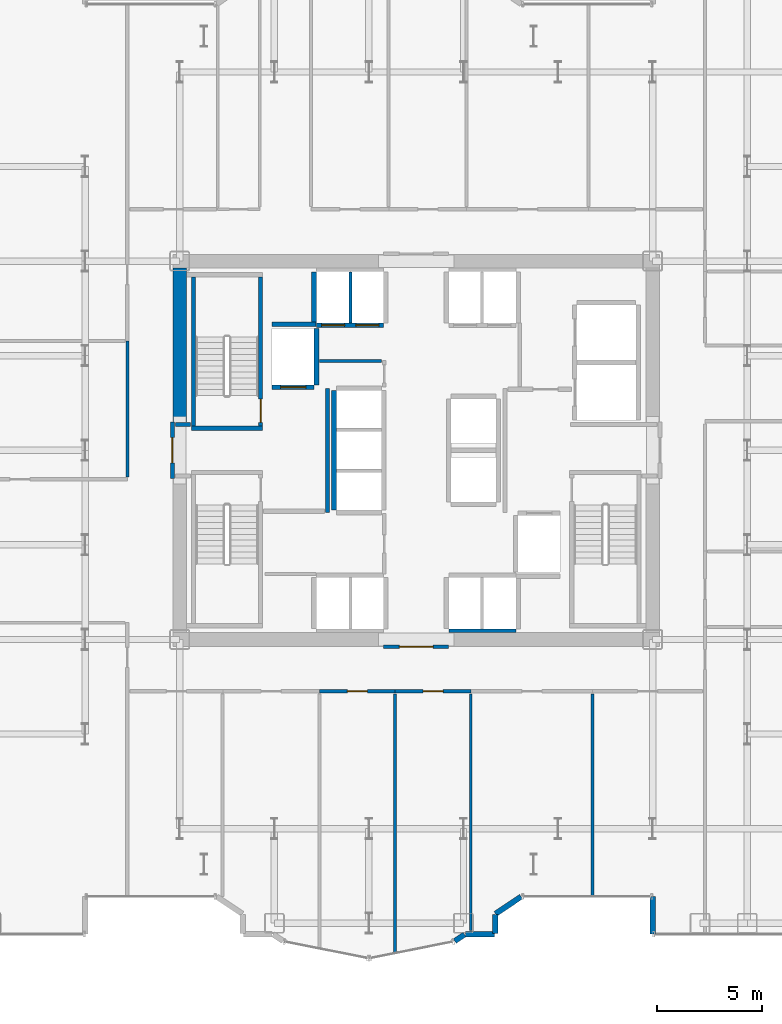
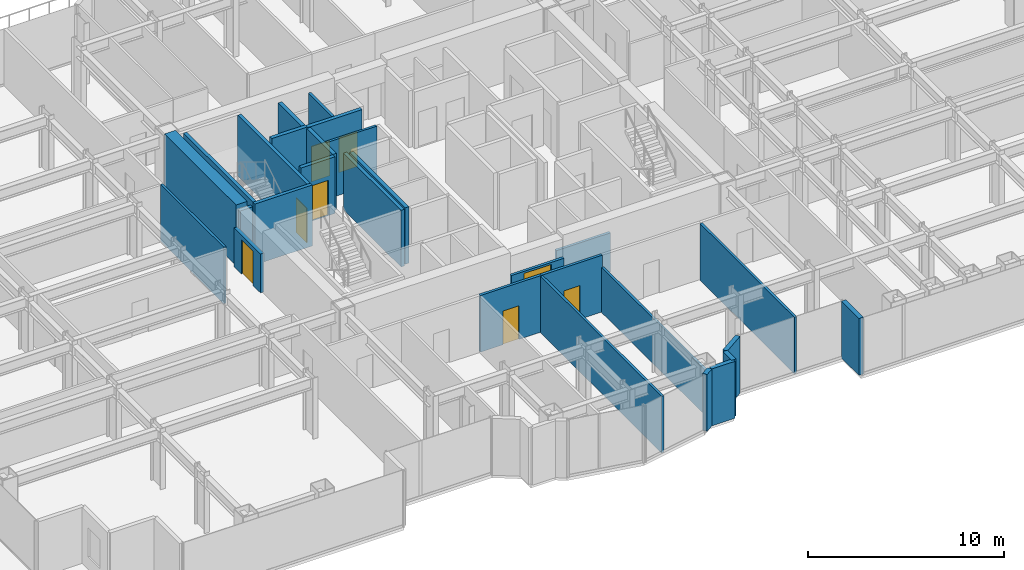
# One storey, part 23 of 30: 28 walls, 8 doors, 8 openings.
"""IFC4 building model written with IfcOpenShell, lengths in metres."""

from ifc_helpers import new_model, si_unit, direction, frame, frame_2d, origin, place, context, subcontext, project, spatial, rectangle, extrude, source, transform, mapped, material, layer, layer_set, type_object, element, fill, save


model = new_model("IFC4")

# Units and contexts
model_context = context("Model", 3, precision=1e-05, world=origin(), true_north=direction((0.0, 1.0)))
body_context = subcontext(model_context, "Body", "Model", "MODEL_VIEW")
ifc_project = project(units=[si_unit("LENGTHUNIT", "METRE"), si_unit("AREAUNIT", "SQUARE_METRE"), si_unit("VOLUMEUNIT", "CUBIC_METRE"), si_unit("PLANEANGLEUNIT", "RADIAN"), si_unit("MASSUNIT", "GRAM", prefix="KILO")], contexts=[model_context])

# Site, building, storey
site_placement = place(None, origin())
site = spatial("IfcSite", under=ifc_project, at=site_placement, CompositionType="ELEMENT")
building_placement = place(site_placement, origin())
building = spatial("IfcBuilding", under=site, at=building_placement, Name="Nefas-Gora Pilgrimage Tower", CompositionType="ELEMENT")
storey_placement = place(building_placement, frame((0.0, 0.0, 33.0)))
storey = spatial("IfcBuildingStorey", under=building, at=storey_placement, Name="L06", CompositionType="ELEMENT", Elevation=33.0)

# Walls
ifc_material_1 = material(Name="Concrete C60/75", Category="concrete")
ifc_layer_1 = layer(ifc_material_1, 0.64990234375)
ifc_layer_set_1 = layer_set([ifc_layer_1], Name="Concrete C60/75")
wall_type_1 = type_object("IfcWallType", Name="SW-CORE-650", PredefinedType="SHEAR", material=ifc_layer_set_1)
shared_shape_1 = source(origin(), body_context, "Body", "SweptSolid", [
    extrude(rectangle(XDim=7.324951171875, YDim=0.64990234375, at=frame_2d((3.66259765625, 0.0))), origin(), (0.0, 0.0, 1.0), 3.800048828125),
])
wall_1_placement = place(storey_placement, frame((-11.25, 1.35009765625, 0.0), z_axis=(0.0, 0.0, 1.0), x_axis=(0.0, 1.0, 0.0)))
element("IfcWall", 1, at=wall_1_placement, inside=storey, type_object=wall_type_1, Name="L06 Core Shear Wall W-North", PredefinedType="SHEAR", context=body_context, shape_type="MappedRepresentation", body=[
    mapped(shared_shape_1, transform((0.0, 0.0, 0.0), x_axis=(1.0, 0.0, 0.0), y_axis=(0.0, 1.0, 0.0), z_axis=(0.0, 0.0, 1.0), scale=1.0)),
])
ifc_material_2 = material(Name="Precast concrete C40/50", Category="concrete")
ifc_layer_2 = layer(ifc_material_2, 0.260009765625)
ifc_layer_set_2 = layer_set([ifc_layer_2], Name="Precast concrete C40/50")
wall_type_2 = type_object("IfcWallType", Name="EW-PORTAL-260", PredefinedType="SOLIDWALL", material=ifc_layer_set_2)
shared_shape_2 = source(origin(), body_context, "Body", "SweptSolid", [
    extrude(rectangle(XDim=1.800048828125, YDim=0.260009765625, at=frame_2d((0.89990234375, 0.0))), origin(), (0.0, 0.0, 1.0), 3.550048828125),
])
wall_2_placement = place(storey_placement, frame((11.25, -21.219970703125, 0.0), z_axis=(0.0, 0.0, 1.0), x_axis=(0.0, -1.0, 0.0)))
element("IfcWall", 2, at=wall_2_placement, inside=storey, type_object=wall_type_2, Name="L06 Lobe Shoulder Precast Spandrel Pier 5", PredefinedType="SOLIDWALL", context=body_context, shape_type="MappedRepresentation", body=[
    mapped(shared_shape_2, transform((0.0, 0.0, 0.0), x_axis=(1.0, 0.0, 0.0), y_axis=(0.0, 1.0, 0.0), z_axis=(0.0, 0.0, 1.0), scale=1.0)),
])
shared_shape_3 = source(origin(), body_context, "Body", "SweptSolid", [
    extrude(rectangle(XDim=1.468994140625, YDim=0.260009765625, at=frame_2d((0.734375, 0.0))), origin(), (0.0, 0.0, 1.0), 3.550048828125),
])
wall_3_placement = place(storey_placement, frame((3.773193359375, -22.0517578125, 0.0), z_axis=(0.0, 0.0, 1.0), x_axis=(0.831461760506, 0.555581983884, 0.0)))
element("IfcWall", 3, at=wall_3_placement, inside=storey, type_object=wall_type_2, Name="L06 Lobe Shoulder Precast Spandrel Pier 40", PredefinedType="SOLIDWALL", context=body_context, shape_type="MappedRepresentation", body=[
    mapped(shared_shape_3, transform((0.0, 0.0, 0.0), x_axis=(1.0, 0.0, 0.0), y_axis=(0.0, 1.0, 0.0), z_axis=(0.0, 0.0, 1.0), scale=1.0)),
])
shared_shape_4 = source(origin(), body_context, "Body", "SweptSolid", [
    extrude(rectangle(XDim=0.896728515625, YDim=0.260009765625, at=frame_2d((0.4482421875, 0.0))), origin(), (0.0, 0.0, 1.0), 3.550048828125),
])
wall_4_placement = place(storey_placement, frame((3.75, -22.991943359375, 0.0), z_axis=(0.0, 0.0, 1.0), x_axis=(0.0, 1.0, 0.0)))
element("IfcWall", 4, at=wall_4_placement, inside=storey, type_object=wall_type_2, Name="L06 Lobe Shoulder Precast Spandrel Pier 39", PredefinedType="SOLIDWALL", context=body_context, shape_type="MappedRepresentation", body=[
    mapped(shared_shape_4, transform((0.0, 0.0, 0.0), x_axis=(1.0, 0.0, 0.0), y_axis=(0.0, 1.0, 0.0), z_axis=(0.0, 0.0, 1.0), scale=1.0)),
])
shared_shape_5 = source(origin(), body_context, "Body", "SweptSolid", [
    extrude(rectangle(XDim=1.369873046875, YDim=0.260009765625, at=frame_2d((0.68505859375, 0.0))), origin(), (0.0, 0.0, 1.0), 3.550048828125),
])
wall_5_placement = place(storey_placement, frame((2.35205078125, -23.02001953125, 0.0), z_axis=(0.0, 0.0, 1.0), x_axis=(1.0, 0.0, 0.0)))
element("IfcWall", 5, at=wall_5_placement, inside=storey, type_object=wall_type_2, Name="L06 Lobe Shoulder Precast Spandrel Pier 38", PredefinedType="SOLIDWALL", context=body_context, shape_type="MappedRepresentation", body=[
    mapped(shared_shape_5, transform((0.0, 0.0, 0.0), x_axis=(1.0, 0.0, 0.0), y_axis=(0.0, 1.0, 0.0), z_axis=(0.0, 0.0, 1.0), scale=1.0)),
])
shared_shape_6 = source(origin(), body_context, "Body", "SweptSolid", [
    extrude(rectangle(XDim=0.5654296875, YDim=0.260009765625, at=frame_2d((0.28271484375, 0.0))), origin(), (0.0, 0.0, 1.0), 3.550048828125),
])
wall_6_placement = place(storey_placement, frame((1.83056640625, -23.349609375, 0.0), z_axis=(0.0, 0.0, 1.0), x_axis=(0.831651492666, 0.555297933317, 0.0)))
element("IfcWall", 6, at=wall_6_placement, inside=storey, type_object=wall_type_2, Name="L06 Lobe Shoulder Precast Spandrel Pier 37", PredefinedType="SOLIDWALL", context=body_context, shape_type="MappedRepresentation", body=[
    mapped(shared_shape_6, transform((0.0, 0.0, 0.0), x_axis=(1.0, 0.0, 0.0), y_axis=(0.0, 1.0, 0.0), z_axis=(0.0, 0.0, 1.0), scale=1.0)),
])
ifc_material_3 = material(Name="Concrete C45/55", Category="concrete")
ifc_layer_3 = layer(ifc_material_3, 0.199951171875)
ifc_layer_set_3 = layer_set([ifc_layer_3], Name="Concrete C45/55")
wall_type_3 = type_object("IfcWallType", Name="IW-STAIR-200", PredefinedType="SOLIDWALL", material=ifc_layer_set_3)
shared_shape_7 = source(origin(), body_context, "Body", "SweptSolid", [
    extrude(rectangle(XDim=3.39990234375, YDim=0.199951171875, at=frame_2d((1.699951171875, 0.0))), origin(), (0.0, 0.0, 1.0), 3.800048828125),
])
wall_7_placement = place(storey_placement, frame((-7.300048828125, 1.050048828125, 0.0), z_axis=(0.0, 0.0, 1.0), x_axis=(-1.0, 0.0, 0.0)))
element("IfcWall", 7, at=wall_7_placement, inside=storey, type_object=wall_type_3, Name="L06 Stairwell Shear Wall ST-01-near", PredefinedType="SOLIDWALL", context=body_context, shape_type="MappedRepresentation", body=[
    mapped(shared_shape_7, transform((0.0, 0.0, 0.0), x_axis=(1.0, 0.0, 0.0), y_axis=(0.0, 1.0, 0.0), z_axis=(0.0, 0.0, 1.0), scale=1.0)),
])

# Wall, opening, door
shared_shape_8 = source(origin(), body_context, "Body", "SweptSolid", [
    extrude(rectangle(XDim=7.10009765625, YDim=0.199951171875, at=frame_2d((3.550048828125, 0.0))), origin(), (0.0, 0.0, 1.0), 3.800048828125),
])
wall_8_placement = place(storey_placement, frame((-7.39990234375, 1.14990234375, 0.0), z_axis=(0.0, 0.0, 1.0), x_axis=(0.0, 1.0, 0.0)))
wall_8 = element("IfcWall", 8, at=wall_8_placement, inside=storey, type_object=wall_type_3, Name="L06 Stairwell Shear Wall ST-01-left", PredefinedType="SOLIDWALL", context=body_context, shape_type="MappedRepresentation", body=[
    mapped(shared_shape_8, transform((0.0, 0.0, 0.0), x_axis=(1.0, 0.0, 0.0), y_axis=(0.0, 1.0, 0.0), z_axis=(0.0, 0.0, 1.0), scale=1.0)),
])
opening_1_placement = place(wall_8_placement, frame((0.179931640625, 0.0, 0.0)))
opening_1 = element("IfcOpeningElement", 9, at=opening_1_placement, cuts=wall_8, Name="Opening ID-ST1", PredefinedType="OPENING", context=body_context, shape_type="SweptSolid", body=[
    extrude(rectangle(XDim=1.10009765625, YDim=2.14990234375, at=frame_2d((0.550048828125, 1.074951171875))), frame((0.0, 0.10986328125, 0.0), z_axis=(0.0, -1.0, 0.0), x_axis=(1.0, 0.0, 0.0)), (0.0, 0.0, 1.0), 0.219970703125),
])
ifc_material_4 = material(Name="Painted galvanised steel fire stair door", Category="steel")
door_type_1 = type_object("IfcDoorType", Name="DR-INT-STAIR-1100", OperationType="NOTDEFINED", PredefinedType="DOOR", material=ifc_material_4)
shared_shape_9 = source(origin(), body_context, "Body", "SweptSolid", [
    extrude(rectangle(XDim=1.10009765625, YDim=2.14990234375, at=frame_2d((0.550048828125, 1.074951171875))), frame((0.0, 0.02490234375, 0.0), z_axis=(0.0, -1.0, 0.0), x_axis=(1.0, 0.0, 0.0)), (0.0, 0.0, 1.0), 0.050048828125),
])
door_1_placement = place(opening_1_placement, origin())
door_1 = element("IfcDoor", 10, at=door_1_placement, inside=storey, type_object=door_type_1, Name="L06 Protected Exit Stair Door ST-01", OperationType="SINGLE_SWING_RIGHT", OverallHeight=2.14990234375, OverallWidth=1.10009765625, PredefinedType="DOOR", context=body_context, shape_type="MappedRepresentation", body=[
    mapped(shared_shape_9, transform((0.0, 0.0, 0.0), x_axis=(1.0, 0.0, 0.0), y_axis=(0.0, 1.0, 0.0), z_axis=(0.0, 0.0, 1.0), scale=1.0)),
])
fill(opening_1, door_1)

# Wall
wall_9_placement = place(storey_placement, frame((-10.60009765625, 1.14990234375, 0.0), z_axis=(0.0, 0.0, 1.0), x_axis=(0.0, 1.0, 0.0)))
element("IfcWall", 11, at=wall_9_placement, inside=storey, type_object=wall_type_3, Name="L06 Stairwell Shear Wall ST-01-right", PredefinedType="SOLIDWALL", context=body_context, shape_type="MappedRepresentation", body=[
    mapped(shared_shape_8, transform((0.0, 0.0, 0.0), x_axis=(1.0, 0.0, 0.0), y_axis=(0.0, 1.0, 0.0), z_axis=(0.0, 0.0, 1.0), scale=1.0)),
])

# Wall, opening, door
ifc_material_5 = material(Name="Concrete C40/50", Category="concrete")
ifc_layer_4 = layer(ifc_material_5, 0.219970703125)
ifc_layer_set_4 = layer_set([ifc_layer_4], Name="Concrete C40/50")
wall_type_4 = type_object("IfcWallType", Name="IW-SHAFT-220", PredefinedType="SOLIDWALL", material=ifc_layer_set_4)
shared_shape_10 = source(origin(), body_context, "Body", "SweptSolid", [
    extrude(rectangle(XDim=2.0, YDim=0.219970703125, at=frame_2d((1.0, 0.0))), origin(), (0.0, 0.0, 1.0), 3.534912109375),
])
wall_10_placement = place(storey_placement, frame((-6.85009765625, 2.989990234375, 0.0), z_axis=(0.0, 0.0, 1.0), x_axis=(1.0, 0.0, 0.0)))
wall_10 = element("IfcWall", 12, at=wall_10_placement, inside=storey, type_object=wall_type_4, Name="L06 Hoistway Wall FFL-01-S", PredefinedType="SOLIDWALL", context=body_context, shape_type="MappedRepresentation", body=[
    mapped(shared_shape_10, transform((0.0, 0.0, 0.0), x_axis=(1.0, 0.0, 0.0), y_axis=(0.0, 1.0, 0.0), z_axis=(0.0, 0.0, 1.0), scale=1.0)),
])
opening_2_placement = place(wall_10_placement, frame((0.39990234375, 0.0, 0.0)))
opening_2 = element("IfcOpeningElement", 13, at=opening_2_placement, cuts=wall_10, Name="Opening LD-FF", PredefinedType="OPENING", context=body_context, shape_type="SweptSolid", body=[
    extrude(rectangle(XDim=1.199951171875, YDim=2.199951171875, at=frame_2d((0.60009765625, 1.10009765625))), frame((0.0, 0.119873046875, 0.0), z_axis=(0.0, -1.0, 0.0), x_axis=(1.0, 0.0, 0.0)), (0.0, 0.0, 1.0), 0.239990234375),
])
ifc_material_6 = material(Name="Fire-service sliding lift landing door")
door_type_2 = type_object("IfcDoorType", Name="DR-LIFT-FSAE-1200", OperationType="SLIDING_TO_LEFT", PredefinedType="DOOR", material=ifc_material_6)
shared_shape_11 = source(origin(), body_context, "Body", "SweptSolid", [
    extrude(rectangle(XDim=1.199951171875, YDim=2.199951171875, at=frame_2d((0.60009765625, 1.10009765625))), frame((0.0, 0.02490234375, 0.0), z_axis=(0.0, -1.0, 0.0), x_axis=(1.0, 0.0, 0.0)), (0.0, 0.0, 1.0), 0.050048828125),
])
door_2_placement = place(opening_2_placement, origin())
door_2 = element("IfcDoor", 14, at=door_2_placement, inside=storey, type_object=door_type_2, Name="L06 Sliding Lift Landing Door FFL-01", OperationType="SLIDING_TO_LEFT", OverallHeight=2.199951171875, OverallWidth=1.199951171875, PredefinedType="DOOR", context=body_context, shape_type="MappedRepresentation", body=[
    mapped(shared_shape_11, transform((0.0, 0.0, 0.0), x_axis=(1.0, 0.0, 0.0), y_axis=(0.0, 1.0, 0.0), z_axis=(0.0, 0.0, 1.0), scale=1.0)),
])
fill(opening_2, door_2)

# Wall
shared_shape_12 = source(origin(), body_context, "Body", "SweptSolid", [
    extrude(rectangle(XDim=2.679931640625, YDim=0.219970703125, at=frame_2d((1.33984375, 0.0))), origin(), (0.0, 0.0, 1.0), 3.534912109375),
])
wall_11_placement = place(storey_placement, frame((-4.739990234375, 3.110107421875, 0.0), z_axis=(0.0, 0.0, 1.0), x_axis=(0.0, 1.0, 0.0)))
element("IfcWall", 15, at=wall_11_placement, inside=storey, type_object=wall_type_4, Name="L06 Hoistway Wall FFL-01-E", PredefinedType="SOLIDWALL", context=body_context, shape_type="MappedRepresentation", body=[
    mapped(shared_shape_12, transform((0.0, 0.0, 0.0), x_axis=(1.0, 0.0, 0.0), y_axis=(0.0, 1.0, 0.0), z_axis=(0.0, 0.0, 1.0), scale=1.0)),
])

# Wall, openings, doors
shared_shape_13 = source(origin(), body_context, "Body", "SweptSolid", [
    extrude(rectangle(XDim=3.199951171875, YDim=0.219970703125, at=frame_2d((1.60009765625, 0.0))), origin(), (0.0, 0.0, 1.0), 3.534912109375),
])
wall_12_placement = place(storey_placement, frame((-4.75, 5.93994140625, 0.0), z_axis=(0.0, 0.0, 1.0), x_axis=(1.0, 0.0, 0.0)))
wall_12 = element("IfcWall", 16, at=wall_12_placement, inside=storey, type_object=wall_type_4, Name="L06 Hoistway Wall PL1-W-S", PredefinedType="SOLIDWALL", context=body_context, shape_type="MappedRepresentation", body=[
    mapped(shared_shape_13, transform((0.0, 0.0, 0.0), x_axis=(1.0, 0.0, 0.0), y_axis=(0.0, 1.0, 0.0), z_axis=(0.0, 0.0, 1.0), scale=1.0)),
])
opening_3_placement = place(wall_12_placement, frame((0.25, 0.0, 0.0)))
opening_3 = element("IfcOpeningElement", 17, at=opening_3_placement, cuts=wall_12, Name="Opening LD-01", PredefinedType="OPENING", context=body_context, shape_type="SweptSolid", body=[
    extrude(rectangle(XDim=1.10009765625, YDim=2.199951171875, at=frame_2d((0.550048828125, 1.10009765625))), frame((0.0, 0.119873046875, 0.0), z_axis=(0.0, -1.0, 0.0), x_axis=(1.0, 0.0, 0.0)), (0.0, 0.0, 1.0), 0.239990234375),
])
opening_4_placement = place(wall_12_placement, frame((1.875, 0.0, 0.0)))
opening_4 = element("IfcOpeningElement", 18, at=opening_4_placement, cuts=wall_12, Name="Opening LD-01", PredefinedType="OPENING", context=body_context, shape_type="SweptSolid", body=[
    extrude(rectangle(XDim=1.10009765625, YDim=2.199951171875, at=frame_2d((0.550048828125, 1.10009765625))), frame((0.0, 0.119873046875, 0.0), z_axis=(0.0, -1.0, 0.0), x_axis=(1.0, 0.0, 0.0)), (0.0, 0.0, 1.0), 0.239990234375),
])
ifc_material_7 = material(Name="Brushed stainless sliding lift landing door")
door_type_3 = type_object("IfcDoorType", Name="DR-LIFT-PASS-1100", OperationType="DOUBLE_DOOR_SLIDING", PredefinedType="DOOR", material=ifc_material_7)
shared_shape_14 = source(origin(), body_context, "Body", "SweptSolid", [
    extrude(rectangle(XDim=1.10009765625, YDim=2.199951171875, at=frame_2d((0.550048828125, 1.10009765625))), frame((0.0, 0.02490234375, 0.0), z_axis=(0.0, -1.0, 0.0), x_axis=(1.0, 0.0, 0.0)), (0.0, 0.0, 1.0), 0.050048828125),
])
door_3_placement = place(opening_3_placement, origin())
door_3 = element("IfcDoor", 19, at=door_3_placement, inside=storey, type_object=door_type_3, Name="L06 Sliding Lift Landing Door PL1-01", OperationType="DOUBLE_DOOR_SLIDING", OverallHeight=2.199951171875, OverallWidth=1.10009765625, PredefinedType="DOOR", context=body_context, shape_type="MappedRepresentation", body=[
    mapped(shared_shape_14, transform((0.0, 0.0, 0.0), x_axis=(1.0, 0.0, 0.0), y_axis=(0.0, 1.0, 0.0), z_axis=(0.0, 0.0, 1.0), scale=1.0)),
])
fill(opening_3, door_3)
door_4_placement = place(opening_4_placement, origin())
door_4 = element("IfcDoor", 20, at=door_4_placement, inside=storey, type_object=door_type_3, Name="L06 Sliding Lift Landing Door PL1-02", OperationType="DOUBLE_DOOR_SLIDING", OverallHeight=2.199951171875, OverallWidth=1.10009765625, PredefinedType="DOOR", context=body_context, shape_type="MappedRepresentation", body=[
    mapped(shared_shape_14, transform((0.0, 0.0, 0.0), x_axis=(1.0, 0.0, 0.0), y_axis=(0.0, 1.0, 0.0), z_axis=(0.0, 0.0, 1.0), scale=1.0)),
])
fill(opening_4, door_4)

# Walls
ifc_material_8 = material(Name="Gypsum acoustic stud partition")
ifc_layer_5 = layer(ifc_material_8, 0.159912109375)
ifc_layer_set_5 = layer_set([ifc_layer_5], Name="Gypsum acoustic stud partition")
wall_type_5 = type_object("IfcWallType", Name="IW-CORR-160", PredefinedType="PARTITIONING", material=ifc_layer_set_5)
shared_shape_15 = source(origin(), body_context, "Body", "SweptSolid", [
    extrude(rectangle(XDim=3.199951171875, YDim=0.159912109375, at=frame_2d((1.60009765625, 0.0))), origin(), (0.0, 0.0, 1.0), 2.425048828125),
])
wall_13_placement = place(storey_placement, frame((1.550048828125, -8.580078125, 0.0), z_axis=(0.0, 0.0, 1.0), x_axis=(1.0, 0.0, 0.0)))
element("IfcWall", 21, at=wall_13_placement, inside=storey, type_object=wall_type_5, Name="L06 Hoistway Wall PL2-E-S", PredefinedType="PARTITIONING", context=body_context, shape_type="MappedRepresentation", body=[
    mapped(shared_shape_15, transform((0.0, 0.0, 0.0), x_axis=(1.0, 0.0, 0.0), y_axis=(0.0, 1.0, 0.0), z_axis=(0.0, 0.0, 1.0), scale=1.0)),
])
shared_shape_16 = source(origin(), body_context, "Body", "SweptSolid", [
    extrude(rectangle(XDim=2.429931640625, YDim=0.219970703125, at=frame_2d((1.21484375, 0.0))), origin(), (0.0, 0.0, 1.0), 3.534912109375),
])
wall_14_placement = place(storey_placement, frame((-4.860107421875, 8.489990234375, 0.0), z_axis=(0.0, 0.0, 1.0), x_axis=(0.0, -1.0, 0.0)))
element("IfcWall", 22, at=wall_14_placement, inside=storey, type_object=wall_type_4, Name="L06 Hoistway Wall PL1-W-W", PredefinedType="SOLIDWALL", context=body_context, shape_type="MappedRepresentation", body=[
    mapped(shared_shape_16, transform((0.0, 0.0, 0.0), x_axis=(1.0, 0.0, 0.0), y_axis=(0.0, 1.0, 0.0), z_axis=(0.0, 0.0, 1.0), scale=1.0)),
])
ifc_material_9 = material(Name="Gypsum twin-stud partition")
ifc_layer_6 = layer(ifc_material_9, 0.139892578125)
ifc_layer_set_6 = layer_set([ifc_layer_6], Name="Gypsum twin-stud partition")
wall_type_6 = type_object("IfcWallType", Name="IW-UNIT-140", PredefinedType="PARTITIONING", material=ifc_layer_set_6)
shared_shape_17 = source(origin(), body_context, "Body", "SweptSolid", [
    extrude(rectangle(XDim=2.429931640625, YDim=0.139892578125, at=frame_2d((1.21484375, 0.0))), origin(), (0.0, 0.0, 1.0), 3.534912109375),
])
wall_15_placement = place(storey_placement, frame((-3.125, 6.06005859375, 0.0), z_axis=(0.0, 0.0, 1.0), x_axis=(0.0, 1.0, 0.0)))
element("IfcWall", 23, at=wall_15_placement, inside=storey, type_object=wall_type_6, Name="L06 Hoistway Wall PL1-W-DIV", PredefinedType="PARTITIONING", context=body_context, shape_type="MappedRepresentation", body=[
    mapped(shared_shape_17, transform((0.0, 0.0, 0.0), x_axis=(1.0, 0.0, 0.0), y_axis=(0.0, 1.0, 0.0), z_axis=(0.0, 0.0, 1.0), scale=1.0)),
])
shared_shape_18 = source(origin(), body_context, "Body", "SweptSolid", [
    extrude(rectangle(XDim=5.7001953125, YDim=0.219970703125, at=frame_2d((2.85009765625, 0.0))), origin(), (0.0, 0.0, 1.0), 3.534912109375),
])
wall_16_placement = place(storey_placement, frame((-3.909912109375, 2.85009765625, 0.0), z_axis=(0.0, 0.0, 1.0), x_axis=(0.0, -1.0, 0.0)))
element("IfcWall", 24, at=wall_16_placement, inside=storey, type_object=wall_type_4, Name="L06 Hoistway Wall PL3-01-03-W", PredefinedType="SOLIDWALL", context=body_context, shape_type="MappedRepresentation", body=[
    mapped(shared_shape_18, transform((0.0, 0.0, 0.0), x_axis=(1.0, 0.0, 0.0), y_axis=(0.0, 1.0, 0.0), z_axis=(0.0, 0.0, 1.0), scale=1.0)),
])
shared_shape_19 = source(origin(), body_context, "Body", "SweptSolid", [
    extrude(rectangle(XDim=2.09521484375, YDim=0.219970703125, at=frame_2d((1.047607421875, 0.0))), origin(), (0.0, 0.0, 1.0), 3.534912109375),
])
wall_17_placement = place(storey_placement, frame((-6.85009765625, 6.0, 0.0), z_axis=(0.0, 0.0, 1.0), x_axis=(1.0, 0.0, 0.0)))
element("IfcWall", 25, at=wall_17_placement, inside=storey, type_object=wall_type_4, Name="L06 Riser Shaft Wall 1", PredefinedType="SOLIDWALL", context=body_context, shape_type="MappedRepresentation", body=[
    mapped(shared_shape_19, transform((0.0, 0.0, 0.0), x_axis=(1.0, 0.0, 0.0), y_axis=(0.0, 1.0, 0.0), z_axis=(0.0, 0.0, 1.0), scale=1.0)),
])

# Wall, opening, door
ifc_material_10 = material(Name="Gypsum fire-rated shaftwall")
ifc_layer_7 = layer(ifc_material_10, 0.199951171875)
ifc_layer_set_7 = layer_set([ifc_layer_7], Name="Gypsum fire-rated shaftwall")
wall_type_7 = type_object("IfcWallType", Name="IW-FFLOB-200", PredefinedType="PARTITIONING", material=ifc_layer_set_7)
shared_shape_20 = source(origin(), body_context, "Body", "SweptSolid", [
    extrude(rectangle(XDim=2.7001953125, YDim=0.199951171875, at=frame_2d((1.35009765625, 0.0))), origin(), (0.0, 0.0, 1.0), 2.425048828125),
])
wall_18_placement = place(storey_placement, frame((-11.60009765625, -1.35009765625, 0.0), z_axis=(0.0, 0.0, 1.0), x_axis=(0.0, 1.0, 0.0)))
wall_18 = element("IfcWall", 26, at=wall_18_placement, inside=storey, type_object=wall_type_7, Name="L06 FF Lobby West Portal Wall 3", PredefinedType="PARTITIONING", context=body_context, shape_type="MappedRepresentation", body=[
    mapped(shared_shape_20, transform((0.0, 0.0, 0.0), x_axis=(1.0, 0.0, 0.0), y_axis=(0.0, 1.0, 0.0), z_axis=(0.0, 0.0, 1.0), scale=1.0)),
])
opening_5_placement = place(wall_18_placement, frame((0.75, 0.0, 0.0)))
opening_5 = element("IfcOpeningElement", 27, at=opening_5_placement, cuts=wall_18, Name="Opening ID-FF1", PredefinedType="OPENING", context=body_context, shape_type="SweptSolid", body=[
    extrude(rectangle(XDim=1.199951171875, YDim=2.14990234375, at=frame_2d((0.60009765625, 1.074951171875))), frame((0.0, 0.10986328125, 0.0), z_axis=(0.0, -1.0, 0.0), x_axis=(1.0, 0.0, 0.0)), (0.0, 0.0, 1.0), 0.219970703125),
])
ifc_material_11 = material(Name="Smoke-sealed steel firefighting lobby door", Category="steel")
door_type_4 = type_object("IfcDoorType", Name="DR-INT-FFLOB-1200", OperationType="NOTDEFINED", PredefinedType="DOOR", material=ifc_material_11)
shared_shape_21 = source(origin(), body_context, "Body", "SweptSolid", [
    extrude(rectangle(XDim=1.199951171875, YDim=2.14990234375, at=frame_2d((0.60009765625, 1.074951171875))), frame((0.0, 0.02490234375, 0.0), z_axis=(0.0, -1.0, 0.0), x_axis=(1.0, 0.0, 0.0)), (0.0, 0.0, 1.0), 0.050048828125),
])
door_5_placement = place(opening_5_placement, origin())
door_5 = element("IfcDoor", 28, at=door_5_placement, inside=storey, type_object=door_type_4, Name="L06 FF Lobby West Portal Door 1", OperationType="SINGLE_SWING_LEFT", OverallHeight=2.14990234375, OverallWidth=1.199951171875, PredefinedType="DOOR", context=body_context, shape_type="MappedRepresentation", body=[
    mapped(shared_shape_21, transform((0.0, 0.0, 0.0), x_axis=(1.0, 0.0, 0.0), y_axis=(0.0, 1.0, 0.0), z_axis=(0.0, 0.0, 1.0), scale=1.0)),
])
fill(opening_5, door_5)

# Walls
shared_shape_22 = source(origin(), body_context, "Body", "SweptSolid", [
    extrude(rectangle(XDim=5.89990234375, YDim=0.199951171875, at=frame_2d((2.949951171875, 0.0))), origin(), (0.0, 0.0, 1.0), 3.534912109375),
])
wall_19_placement = place(storey_placement, frame((-4.219970703125, -2.949951171875, 0.0), z_axis=(0.0, 0.0, 1.0), x_axis=(0.0, 1.0, 0.0)))
element("IfcWall", 29, at=wall_19_placement, inside=storey, type_object=wall_type_7, Name="L06 FF Lobby West Inner Wall Wall 4", PredefinedType="PARTITIONING", context=body_context, shape_type="MappedRepresentation", body=[
    mapped(shared_shape_22, transform((0.0, 0.0, 0.0), x_axis=(1.0, 0.0, 0.0), y_axis=(0.0, 1.0, 0.0), z_axis=(0.0, 0.0, 1.0), scale=1.0)),
])
shared_shape_23 = source(origin(), body_context, "Body", "SweptSolid", [
    extrude(rectangle(XDim=0.719970703125, YDim=0.199951171875, at=frame_2d((0.35986328125, 0.0))), origin(), (0.0, 0.0, 1.0), 3.534912109375),
])
wall_20_placement = place(storey_placement, frame((-11.4599609375, 1.219970703125, 0.0), z_axis=(0.0, 0.0, 1.0), x_axis=(1.0, 0.0, 0.0)))
element("IfcWall", 30, at=wall_20_placement, inside=storey, type_object=wall_type_7, Name="L06 FF Lobby West Throat N Wall 6", PredefinedType="PARTITIONING", context=body_context, shape_type="MappedRepresentation", body=[
    mapped(shared_shape_23, transform((0.0, 0.0, 0.0), x_axis=(1.0, 0.0, 0.0), y_axis=(0.0, 1.0, 0.0), z_axis=(0.0, 0.0, 1.0), scale=1.0)),
])

# Wall, opening, door
shared_shape_24 = source(origin(), body_context, "Body", "SweptSolid", [
    extrude(rectangle(XDim=3.08984375, YDim=0.159912109375, at=frame_2d((1.544921875, 0.0))), origin(), (0.0, 0.0, 1.0), 2.425048828125),
])
wall_21_placement = place(storey_placement, frame((-1.544921875, -9.35009765625, 0.0), z_axis=(0.0, 0.0, 1.0), x_axis=(1.0, 0.0, 0.0)))
wall_21 = element("IfcWall", 31, at=wall_21_placement, inside=storey, type_object=wall_type_5, Name="L06 Central Lift Lobby South Portal Wall 14", PredefinedType="PARTITIONING", context=body_context, shape_type="MappedRepresentation", body=[
    mapped(shared_shape_24, transform((0.0, 0.0, 0.0), x_axis=(1.0, 0.0, 0.0), y_axis=(0.0, 1.0, 0.0), z_axis=(0.0, 0.0, 1.0), scale=1.0)),
])
opening_6_placement = place(wall_21_placement, frame((0.7451171875, 0.0, 0.0)))
opening_6 = element("IfcOpeningElement", 32, at=opening_6_placement, cuts=wall_21, Name="Opening ID-HL1", PredefinedType="OPENING", context=body_context, shape_type="SweptSolid", body=[
    extrude(rectangle(XDim=1.60009765625, YDim=2.300048828125, at=frame_2d((0.800048828125, 1.14990234375))), frame((0.0, 0.08984375, 0.0), z_axis=(0.0, -1.0, 0.0), x_axis=(1.0, 0.0, 0.0)), (0.0, 0.0, 1.0), 0.179931640625),
])
ifc_material_12 = material(Name="Double acoustic timber assembly hall door", Category="wood")
door_type_5 = type_object("IfcDoorType", Name="DR-INT-HALL-1600", OperationType="DOUBLE_DOOR_SINGLE_SWING", PredefinedType="DOOR", material=ifc_material_12)
shared_shape_25 = source(origin(), body_context, "Body", "SweptSolid", [
    extrude(rectangle(XDim=1.60009765625, YDim=2.300048828125, at=frame_2d((0.800048828125, 1.14990234375))), frame((0.0, 0.02490234375, 0.0), z_axis=(0.0, -1.0, 0.0), x_axis=(1.0, 0.0, 0.0)), (0.0, 0.0, 1.0), 0.050048828125),
])
door_6_placement = place(opening_6_placement, origin())
door_6 = element("IfcDoor", 33, at=door_6_placement, inside=storey, type_object=door_type_5, Name="L06 Central Lift Lobby South Portal Door 5", OperationType="DOUBLE_DOOR_SINGLE_SWING", OverallHeight=2.300048828125, OverallWidth=1.60009765625, PredefinedType="DOOR", context=body_context, shape_type="MappedRepresentation", body=[
    mapped(shared_shape_25, transform((0.0, 0.0, 0.0), x_axis=(1.0, 0.0, 0.0), y_axis=(0.0, 1.0, 0.0), z_axis=(0.0, 0.0, 1.0), scale=1.0)),
])
fill(opening_6, door_6)

# Walls
shared_shape_26 = source(origin(), body_context, "Body", "SweptSolid", [
    extrude(rectangle(XDim=2.9501953125, YDim=0.139892578125, at=frame_2d((1.47509765625, 0.0))), origin(), (0.0, 0.0, 1.0), 3.534912109375),
])
wall_22_placement = place(storey_placement, frame((-4.590087890625, 4.25, 0.0), z_axis=(0.0, 0.0, 1.0), x_axis=(1.0, 0.0, 0.0)))
element("IfcWall", 34, at=wall_22_placement, inside=storey, type_object=wall_type_6, Name="L06 Housekeeping and Linen Store Partition Wall 17", PredefinedType="PARTITIONING", context=body_context, shape_type="MappedRepresentation", body=[
    mapped(shared_shape_26, transform((0.0, 0.0, 0.0), x_axis=(1.0, 0.0, 0.0), y_axis=(0.0, 1.0, 0.0), z_axis=(0.0, 0.0, 1.0), scale=1.0)),
])
shared_shape_27 = source(origin(), body_context, "Body", "SweptSolid", [
    extrude(rectangle(XDim=6.465087890625, YDim=0.139892578125, at=frame_2d((3.232421875, 0.0))), origin(), (0.0, 0.0, 1.0), 3.534912109375),
])
wall_23_placement = place(storey_placement, frame((-13.739990234375, -1.260009765625, 0.0), z_axis=(0.0, 0.0, 1.0), x_axis=(0.0, 1.0, 0.0)))
element("IfcWall", 35, at=wall_23_placement, inside=storey, type_object=wall_type_6, Name="L06 Pilgrim Fellowship Seminar Room Partition Wall 26", PredefinedType="PARTITIONING", context=body_context, shape_type="MappedRepresentation", body=[
    mapped(shared_shape_27, transform((0.0, 0.0, 0.0), x_axis=(1.0, 0.0, 0.0), y_axis=(0.0, 1.0, 0.0), z_axis=(0.0, 0.0, 1.0), scale=1.0)),
])
shared_shape_28 = source(origin(), body_context, "Body", "SweptSolid", [
    extrude(rectangle(XDim=11.260009765625, YDim=0.139892578125, at=frame_2d((5.6298828125, 0.0))), origin(), (0.0, 0.0, 1.0), 2.824951171875),
])
wall_24_placement = place(storey_placement, frame((2.594970703125, -22.85009765625, 0.0), z_axis=(0.0, 0.0, 1.0), x_axis=(0.0, 1.0, 0.0)))
element("IfcWall", 36, at=wall_24_placement, inside=storey, type_object=wall_type_6, Name="L06 Pilgrim Contemplative Lounge Partition Wall 58", PredefinedType="PARTITIONING", context=body_context, shape_type="MappedRepresentation", body=[
    mapped(shared_shape_28, transform((0.0, 0.0, 0.0), x_axis=(1.0, 0.0, 0.0), y_axis=(0.0, 1.0, 0.0), z_axis=(0.0, 0.0, 1.0), scale=1.0)),
])
shared_shape_29 = source(origin(), body_context, "Body", "SweptSolid", [
    extrude(rectangle(XDim=9.64990234375, YDim=0.139892578125, at=frame_2d((4.824951171875, 0.0))), origin(), (0.0, 0.0, 1.0), 3.534912109375),
])
wall_25_placement = place(storey_placement, frame((8.39501953125, -21.239990234375, 0.0), z_axis=(0.0, 0.0, 1.0), x_axis=(0.0, 1.0, 0.0)))
element("IfcWall", 37, at=wall_25_placement, inside=storey, type_object=wall_type_6, Name="L06 Pilgrim Contemplative Lounge Partition Wall 60", PredefinedType="PARTITIONING", context=body_context, shape_type="MappedRepresentation", body=[
    mapped(shared_shape_29, transform((0.0, 0.0, 0.0), x_axis=(1.0, 0.0, 0.0), y_axis=(0.0, 1.0, 0.0), z_axis=(0.0, 0.0, 1.0), scale=1.0)),
])

# Wall, opening, door
shared_shape_30 = source(origin(), body_context, "Body", "SweptSolid", [
    extrude(rectangle(XDim=3.60498046875, YDim=0.159912109375, at=frame_2d((1.802490234375, 0.0))), origin(), (0.0, 0.0, 1.0), 3.534912109375),
])
wall_26_placement = place(storey_placement, frame((-4.60498046875, -11.469970703125, 0.0), z_axis=(0.0, 0.0, 1.0), x_axis=(1.0, 0.0, 0.0)))
wall_26 = element("IfcWall", 38, at=wall_26_placement, inside=storey, type_object=wall_type_5, Name="L06 Pilgrim Contemplative Lounge Partition Wall 55", PredefinedType="PARTITIONING", context=body_context, shape_type="MappedRepresentation", body=[
    mapped(shared_shape_30, transform((0.0, 0.0, 0.0), x_axis=(1.0, 0.0, 0.0), y_axis=(0.0, 1.0, 0.0), z_axis=(0.0, 0.0, 1.0), scale=1.0)),
])
opening_7_placement = place(wall_26_placement, frame((1.327392578125, 0.0, 0.0)))
opening_7 = element("IfcOpeningElement", 39, at=opening_7_placement, cuts=wall_26, Name="Opening ID-GR1", PredefinedType="OPENING", context=body_context, shape_type="SweptSolid", body=[
    extrude(rectangle(XDim=0.949951171875, YDim=2.10009765625, at=frame_2d((0.47509765625, 1.050048828125))), frame((0.0, 0.08984375, 0.0), z_axis=(0.0, -1.0, 0.0), x_axis=(1.0, 0.0, 0.0)), (0.0, 0.0, 1.0), 0.179931640625),
])
ifc_material_13 = material(Name="Solid core oak fire-rated guest entrance door")
door_type_6 = type_object("IfcDoorType", Name="DR-INT-GUEST-950", OperationType="NOTDEFINED", PredefinedType="DOOR", material=ifc_material_13)
shared_shape_31 = source(origin(), body_context, "Body", "SweptSolid", [
    extrude(rectangle(XDim=0.949951171875, YDim=2.10009765625, at=frame_2d((0.47509765625, 1.050048828125))), frame((0.0, 0.02490234375, 0.0), z_axis=(0.0, -1.0, 0.0), x_axis=(1.0, 0.0, 0.0)), (0.0, 0.0, 1.0), 0.050048828125),
])
door_7_placement = place(opening_7_placement, origin())
door_7 = element("IfcDoor", 40, at=door_7_placement, inside=storey, type_object=door_type_6, Name="L06 Pilgrim Contemplative Lounge Door 26", OperationType="SINGLE_SWING_RIGHT", OverallHeight=2.10009765625, OverallWidth=0.949951171875, PredefinedType="DOOR", context=body_context, shape_type="MappedRepresentation", body=[
    mapped(shared_shape_31, transform((0.0, 0.0, 0.0), x_axis=(1.0, 0.0, 0.0), y_axis=(0.0, 1.0, 0.0), z_axis=(0.0, 0.0, 1.0), scale=1.0)),
])
fill(opening_7, door_7)

wall_27_placement = place(storey_placement, frame((-1.0, -11.469970703125, 0.0), z_axis=(0.0, 0.0, 1.0), x_axis=(1.0, 0.0, 0.0)))
wall_27 = element("IfcWall", 41, at=wall_27_placement, inside=storey, type_object=wall_type_5, Name="L06 Pilgrim Contemplative Lounge Partition Wall 57", PredefinedType="PARTITIONING", context=body_context, shape_type="MappedRepresentation", body=[
    mapped(shared_shape_30, transform((0.0, 0.0, 0.0), x_axis=(1.0, 0.0, 0.0), y_axis=(0.0, 1.0, 0.0), z_axis=(0.0, 0.0, 1.0), scale=1.0)),
])
opening_8_placement = place(wall_27_placement, frame((1.327392578125, 0.0, 0.0)))
opening_8 = element("IfcOpeningElement", 42, at=opening_8_placement, cuts=wall_27, Name="Opening ID-GR1", PredefinedType="OPENING", context=body_context, shape_type="SweptSolid", body=[
    extrude(rectangle(XDim=0.949951171875, YDim=2.10009765625, at=frame_2d((0.47509765625, 1.050048828125))), frame((0.0, 0.08984375, 0.0), z_axis=(0.0, -1.0, 0.0), x_axis=(1.0, 0.0, 0.0)), (0.0, 0.0, 1.0), 0.179931640625),
])
door_8_placement = place(opening_8_placement, origin())
door_8 = element("IfcDoor", 43, at=door_8_placement, inside=storey, type_object=door_type_6, Name="L06 Pilgrim Contemplative Lounge Door 27", OperationType="SINGLE_SWING_LEFT", OverallHeight=2.10009765625, OverallWidth=0.949951171875, PredefinedType="DOOR", context=body_context, shape_type="MappedRepresentation", body=[
    mapped(shared_shape_31, transform((0.0, 0.0, 0.0), x_axis=(1.0, 0.0, 0.0), y_axis=(0.0, 1.0, 0.0), z_axis=(0.0, 0.0, 1.0), scale=1.0)),
])
fill(opening_8, door_8)

# Wall
shared_shape_32 = source(origin(), body_context, "Body", "SweptSolid", [
    extrude(rectangle(XDim=12.35595703125, YDim=0.139892578125, at=frame_2d((6.177978515625, 0.0))), origin(), (0.0, 0.0, 1.0), 3.534912109375),
])
wall_28_placement = place(storey_placement, frame((-1.010009765625, -23.946044921875, 0.0), z_axis=(0.0, 0.0, 1.0), x_axis=(0.0, 1.0, 0.0)))
element("IfcWall", 44, at=wall_28_placement, inside=storey, type_object=wall_type_6, Name="L06 Pilgrim Contemplative Lounge Partition Wall 56", PredefinedType="PARTITIONING", context=body_context, shape_type="MappedRepresentation", body=[
    mapped(shared_shape_32, transform((0.0, 0.0, 0.0), x_axis=(1.0, 0.0, 0.0), y_axis=(0.0, 1.0, 0.0), z_axis=(0.0, 0.0, 1.0), scale=1.0)),
])

save(model, "model.ifc")
